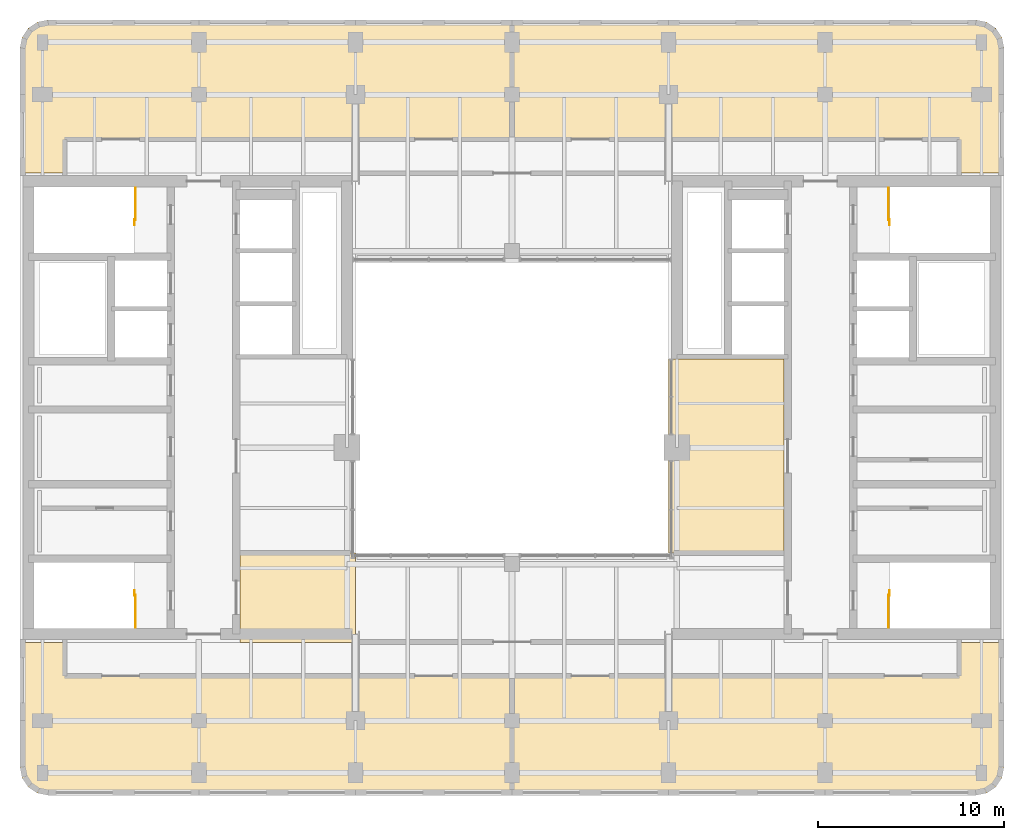
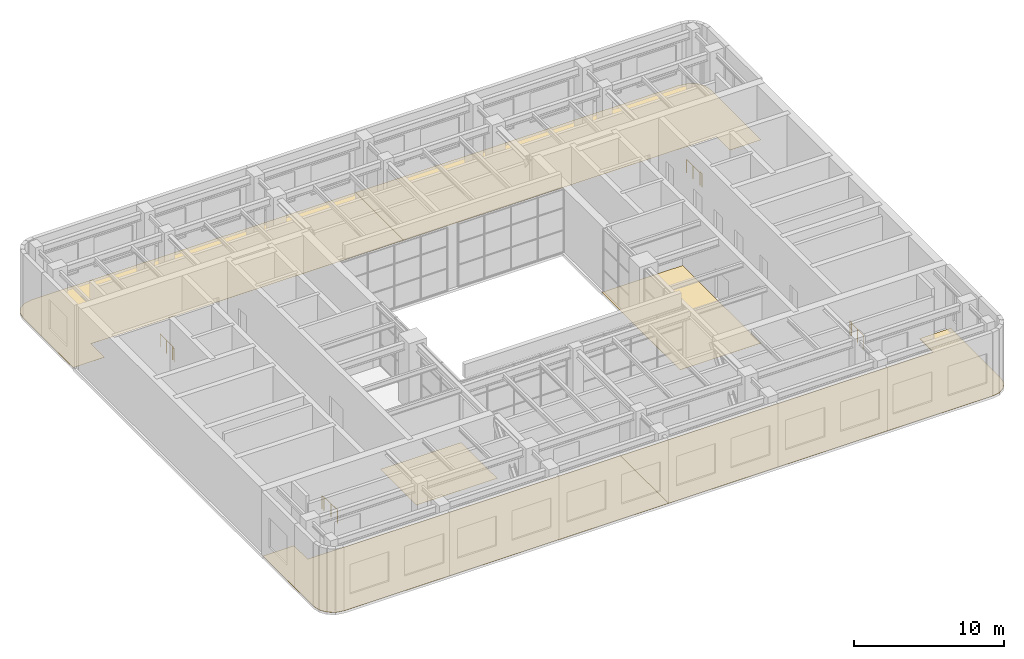
# One storey, part 11 of 11: 6 coverings, 4 railings.
"""IFC4 building model written with IfcOpenShell, lengths in metres."""

from ifc_helpers import new_model, si_unit, direction, frame, origin, origin_2d, place, context, subcontext, project, spatial, polyline, circle, outline, extrude, material, layer, layer_set, type_object, element, save


model = new_model("IFC4")

# Units and contexts
model_context = context("Model", 3, precision=1e-05, world=origin(), true_north=direction((0.0, 1.0)))
body_context = subcontext(model_context, "Body", "Model", "MODEL_VIEW")
ifc_project = project(units=[si_unit("LENGTHUNIT", "METRE"), si_unit("AREAUNIT", "SQUARE_METRE"), si_unit("VOLUMEUNIT", "CUBIC_METRE"), si_unit("PLANEANGLEUNIT", "RADIAN"), si_unit("MASSUNIT", "GRAM", prefix="KILO")], contexts=[model_context])

# Site, building, storey
site_placement = place(None, origin())
site = spatial("IfcSite", under=ifc_project, at=site_placement, CompositionType="ELEMENT")
building_placement = place(site_placement, origin())
building = spatial("IfcBuilding", under=site, at=building_placement, Name="Claustro Exchange Tower", CompositionType="ELEMENT")
storey_placement = place(building_placement, frame((0.0, 0.0, 281.699951171875)))
storey = spatial("IfcBuildingStorey", under=building, at=storey_placement, Name="L64", CompositionType="ELEMENT", Elevation=281.699951171875)

# Coverings
ifc_material_1 = material(Name="Epoxy resin floor finish", Category="resin")
ifc_layer = layer(ifc_material_1, 0.006103515625)
ifc_layer_set = layer_set([ifc_layer], Name="Epoxy resin floor finish")
covering_type = type_object("IfcCoveringType", Name="FL2 resin plant room floor", PredefinedType="FLOORING", material=ifc_layer_set)
covering_1_placement = place(storey_placement, origin())
element("IfcCovering", 1, at=covering_1_placement, inside=storey, type_object=covering_type, Name="Resin floor FL2 L64-01", PredefinedType="FLOORING", context=body_context, shape_type="SweptSolid", body=[
    extrude(outline(polyline([(-1.085693359375, 5.325927734375), (-0.7607421875, 4.83935546875), (-0.27392578125, 4.51416015625), (0.300048828125, 4.39990234375), (25.199951171875, 4.39990234375), (25.199951171875, 10.800048828125), (1.199951171875, 10.800048828125), (1.199951171875, 12.60009765625), (-1.199951171875, 12.60009765625), (-1.199951171875, 5.89990234375), (-1.085693359375, 5.325927734375)])), origin(), (0.0, 0.0, 1.0), 0.006103515625),
])
covering_2_placement = place(storey_placement, origin())
element("IfcCovering", 2, at=covering_2_placement, inside=storey, type_object=covering_type, Name="Resin floor FL2 L64-02", PredefinedType="FLOORING", context=body_context, shape_type="SweptSolid", body=[
    extrude(outline(polyline([(51.60009765625, 12.60009765625), (49.199951171875, 12.60009765625), (49.199951171875, 10.800048828125), (25.199951171875, 10.800048828125), (25.199951171875, 4.39990234375), (50.10009765625, 4.39990234375), (50.674072265625, 4.51416015625), (51.16064453125, 4.83935546875), (51.48583984375, 5.325927734375), (51.60009765625, 5.89990234375), (51.60009765625, 12.60009765625)])), origin(), (0.0, 0.0, 1.0), 0.006103515625),
])
covering_3_placement = place(storey_placement, origin())
element("IfcCovering", 3, at=covering_3_placement, inside=storey, type_object=covering_type, Name="Resin floor FL2 L64-04", PredefinedType="FLOORING", context=body_context, shape_type="SweptSolid", body=[
    extrude(outline(polyline([(16.800048828125, 17.39990234375), (10.60009765625, 17.39990234375), (10.60009765625, 12.60009765625), (16.800048828125, 12.60009765625), (16.800048828125, 17.39990234375)])), origin(), (0.0, 0.0, 1.0), 0.006103515625),
])
covering_4_placement = place(storey_placement, origin())
element("IfcCovering", 4, at=covering_4_placement, inside=storey, type_object=covering_type, Name="Resin floor FL2 L64-07", PredefinedType="FLOORING", context=body_context, shape_type="SweptSolid", body=[
    extrude(outline(polyline([(39.800048828125, 17.39990234375), (39.800048828125, 27.800048828125), (33.60009765625, 27.800048828125), (33.60009765625, 17.39990234375), (39.800048828125, 17.39990234375)])), origin(), (0.0, 0.0, 1.0), 0.006103515625),
])
covering_5_placement = place(storey_placement, origin())
element("IfcCovering", 5, at=covering_5_placement, inside=storey, type_object=covering_type, Name="Resin floor FL2 L64-10", PredefinedType="FLOORING", context=body_context, shape_type="SweptSolid", body=[
    extrude(outline(polyline([(-1.199951171875, 44.5), (-1.199951171875, 37.800048828125), (1.199951171875, 37.800048828125), (1.199951171875, 39.60009765625), (25.199951171875, 39.60009765625), (25.199951171875, 46.0), (0.300048828125, 46.0), (-0.27392578125, 45.8857421875), (-0.7607421875, 45.560791015625), (-1.085693359375, 45.073974609375), (-1.199951171875, 44.5)])), origin(), (0.0, 0.0, 1.0), 0.006103515625),
])
covering_6_placement = place(storey_placement, origin())
element("IfcCovering", 6, at=covering_6_placement, inside=storey, type_object=covering_type, Name="Resin floor FL2 L64-11", PredefinedType="FLOORING", context=body_context, shape_type="SweptSolid", body=[
    extrude(outline(polyline([(50.10009765625, 46.0), (25.199951171875, 46.0), (25.199951171875, 39.60009765625), (49.199951171875, 39.60009765625), (49.199951171875, 37.800048828125), (51.60009765625, 37.800048828125), (51.60009765625, 44.5), (51.48583984375, 45.073974609375), (51.16064453125, 45.560791015625), (50.674072265625, 45.8857421875), (50.10009765625, 46.0)])), origin(), (0.0, 0.0, 1.0), 0.006103515625),
])

# Railings
ifc_material_2 = material(Name="Steel balustrade, painted", Category="steel")
railing_type = type_object("IfcRailingType", Name="GR2 1100 steel stair guard", PredefinedType="GUARDRAIL", material=ifc_material_2)
railing_1_placement = place(storey_placement, frame((5.0, 13.409912109375, 0.0)))
element("IfcRailing", 7, at=railing_1_placement, inside=storey, type_object=railing_type, Name="Stair guard GR2 STWA L64", PredefinedType="GUARDRAIL", context=body_context, shape_type="SweptSolid", body=[
    extrude(circle(Radius=0.02392578125, at=origin_2d()), frame((0.0, 0.0, 1.076171875), z_axis=(0.0, 1.0, 0.0), x_axis=(-1.0, 0.0, 0.0)), (0.0, 0.0, 1.0), 1.715087890625),
    extrude(circle(Radius=0.02392578125, at=origin_2d()), frame((0.0, 1.715087890625, 1.076171875), z_axis=(-1.0, 0.0, 0.0), x_axis=(0.0, -1.0, 0.0)), (0.0, 0.0, 1.0), 0.054931640625),
    extrude(circle(Radius=0.02392578125, at=origin_2d()), frame((-0.054931640625, 1.715087890625, 1.076171875), z_axis=(0.0, 1.0, 0.0), x_axis=(-1.0, 0.0, 0.0)), (0.0, 0.0, 1.0), 0.2548828125),
    extrude(circle(Radius=0.02099609375, at=origin_2d()), origin(), (0.0, 0.0, 1.0), 1.052001953125),
    extrude(circle(Radius=0.02099609375, at=origin_2d()), frame((0.0, 0.857421875, 0.0)), (0.0, 0.0, 1.0), 1.052001953125),
    extrude(circle(Radius=0.02099609375, at=origin_2d()), frame((0.0, 1.715087890625, 0.0)), (0.0, 0.0, 1.0), 1.052001953125),
    extrude(circle(Radius=0.02099609375, at=origin_2d()), frame((-0.054931640625, 1.715087890625, 0.0)), (0.0, 0.0, 1.0), 1.052001953125),
    extrude(circle(Radius=0.02099609375, at=origin_2d()), frame((-0.054931640625, 1.969970703125, 0.0)), (0.0, 0.0, 1.0), 1.052001953125),
])
railing_2_placement = place(storey_placement, frame((5.0, 36.989990234375, 0.0)))
element("IfcRailing", 8, at=railing_2_placement, inside=storey, type_object=railing_type, Name="Stair guard GR2 STWB L64", PredefinedType="GUARDRAIL", context=body_context, shape_type="SweptSolid", body=[
    extrude(circle(Radius=0.02392578125, at=origin_2d()), frame((0.0, 0.0, 1.076171875), z_axis=(0.0, -1.0, 0.0), x_axis=(1.0, 0.0, 0.0)), (0.0, 0.0, 1.0), 1.715087890625),
    extrude(circle(Radius=0.02392578125, at=origin_2d()), frame((0.0, -1.715087890625, 1.076171875), z_axis=(-1.0, 0.0, 0.0), x_axis=(0.0, -1.0, 0.0)), (0.0, 0.0, 1.0), 0.054931640625),
    extrude(circle(Radius=0.02392578125, at=origin_2d()), frame((-0.054931640625, -1.715087890625, 1.076171875), z_axis=(0.0, -1.0, 0.0), x_axis=(1.0, 0.0, 0.0)), (0.0, 0.0, 1.0), 0.2548828125),
    extrude(circle(Radius=0.02099609375, at=origin_2d()), origin(), (0.0, 0.0, 1.0), 1.052001953125),
    extrude(circle(Radius=0.02099609375, at=origin_2d()), frame((0.0, -0.857421875, 0.0)), (0.0, 0.0, 1.0), 1.052001953125),
    extrude(circle(Radius=0.02099609375, at=origin_2d()), frame((0.0, -1.715087890625, 0.0)), (0.0, 0.0, 1.0), 1.052001953125),
    extrude(circle(Radius=0.02099609375, at=origin_2d()), frame((-0.054931640625, -1.715087890625, 0.0)), (0.0, 0.0, 1.0), 1.052001953125),
    extrude(circle(Radius=0.02099609375, at=origin_2d()), frame((-0.054931640625, -1.969970703125, 0.0)), (0.0, 0.0, 1.0), 1.052001953125),
])
railing_3_placement = place(storey_placement, frame((45.39990234375, 13.409912109375, 0.0)))
element("IfcRailing", 9, at=railing_3_placement, inside=storey, type_object=railing_type, Name="Stair guard GR2 STEA L64", PredefinedType="GUARDRAIL", context=body_context, shape_type="SweptSolid", body=[
    extrude(circle(Radius=0.02392578125, at=origin_2d()), frame((0.0, 0.0, 1.076171875), z_axis=(0.0, 1.0, 0.0), x_axis=(-1.0, 0.0, 0.0)), (0.0, 0.0, 1.0), 1.715087890625),
    extrude(circle(Radius=0.02392578125, at=origin_2d()), frame((0.0, 1.715087890625, 1.076171875), z_axis=(1.0, 0.0, 0.0), x_axis=(0.0, 1.0, 0.0)), (0.0, 0.0, 1.0), 0.05517578125),
    extrude(circle(Radius=0.02392578125, at=origin_2d()), frame((0.05517578125, 1.715087890625, 1.076171875), z_axis=(0.0, 1.0, 0.0), x_axis=(-1.0, 0.0, 0.0)), (0.0, 0.0, 1.0), 0.2548828125),
    extrude(circle(Radius=0.02099609375, at=origin_2d()), origin(), (0.0, 0.0, 1.0), 1.052001953125),
    extrude(circle(Radius=0.02099609375, at=origin_2d()), frame((0.0, 0.857421875, 0.0)), (0.0, 0.0, 1.0), 1.052001953125),
    extrude(circle(Radius=0.02099609375, at=origin_2d()), frame((0.0, 1.715087890625, 0.0)), (0.0, 0.0, 1.0), 1.052001953125),
    extrude(circle(Radius=0.02099609375, at=origin_2d()), frame((0.05517578125, 1.715087890625, 0.0)), (0.0, 0.0, 1.0), 1.052001953125),
    extrude(circle(Radius=0.02099609375, at=origin_2d()), frame((0.05517578125, 1.969970703125, 0.0)), (0.0, 0.0, 1.0), 1.052001953125),
])
railing_4_placement = place(storey_placement, frame((45.39990234375, 36.989990234375, 0.0)))
element("IfcRailing", 10, at=railing_4_placement, inside=storey, type_object=railing_type, Name="Stair guard GR2 STEB L64", PredefinedType="GUARDRAIL", context=body_context, shape_type="SweptSolid", body=[
    extrude(circle(Radius=0.02392578125, at=origin_2d()), frame((0.0, 0.0, 1.076171875), z_axis=(0.0, -1.0, 0.0), x_axis=(1.0, 0.0, 0.0)), (0.0, 0.0, 1.0), 1.715087890625),
    extrude(circle(Radius=0.02392578125, at=origin_2d()), frame((0.0, -1.715087890625, 1.076171875), z_axis=(1.0, 0.0, 0.0), x_axis=(0.0, 1.0, 0.0)), (0.0, 0.0, 1.0), 0.05517578125),
    extrude(circle(Radius=0.02392578125, at=origin_2d()), frame((0.05517578125, -1.715087890625, 1.076171875), z_axis=(0.0, -1.0, 0.0), x_axis=(1.0, 0.0, 0.0)), (0.0, 0.0, 1.0), 0.2548828125),
    extrude(circle(Radius=0.02099609375, at=origin_2d()), origin(), (0.0, 0.0, 1.0), 1.052001953125),
    extrude(circle(Radius=0.02099609375, at=origin_2d()), frame((0.0, -0.857421875, 0.0)), (0.0, 0.0, 1.0), 1.052001953125),
    extrude(circle(Radius=0.02099609375, at=origin_2d()), frame((0.0, -1.715087890625, 0.0)), (0.0, 0.0, 1.0), 1.052001953125),
    extrude(circle(Radius=0.02099609375, at=origin_2d()), frame((0.05517578125, -1.715087890625, 0.0)), (0.0, 0.0, 1.0), 1.052001953125),
    extrude(circle(Radius=0.02099609375, at=origin_2d()), frame((0.05517578125, -1.969970703125, 0.0)), (0.0, 0.0, 1.0), 1.052001953125),
])

save(model, "model.ifc")
